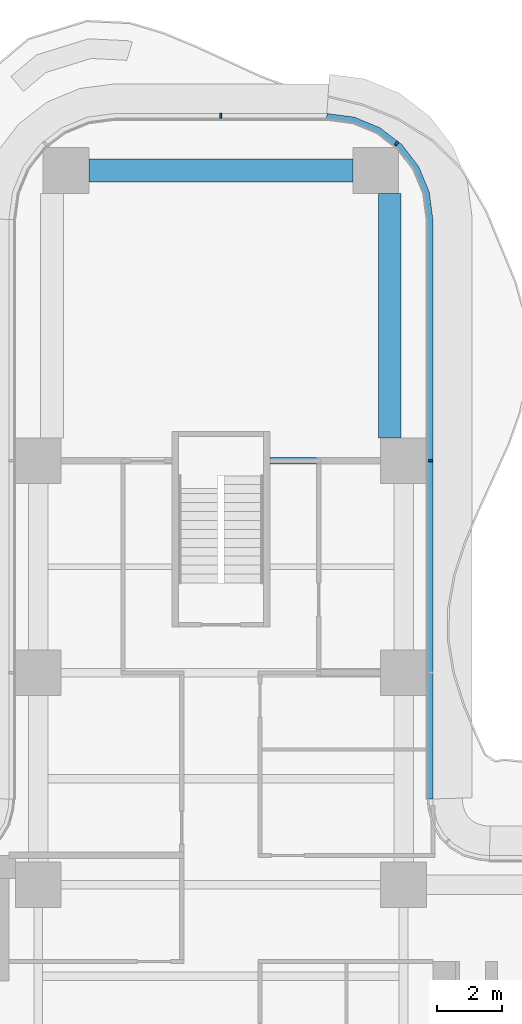
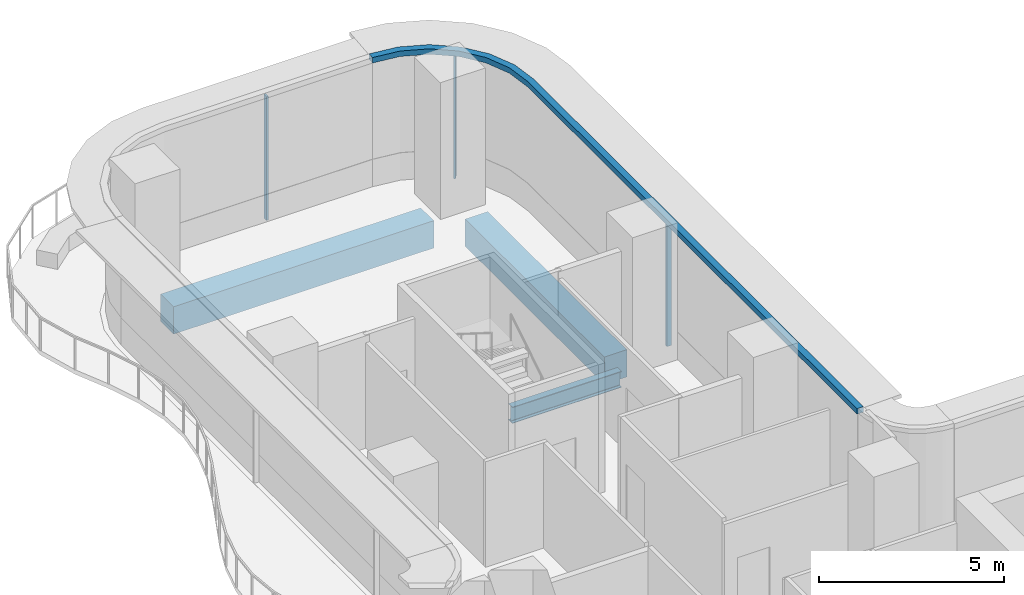
# One storey, part 12 of 22: 4 members, 3 beams, 2 elements without a shape of their own.
"""IFC4 building model written with IfcOpenShell, lengths in metres."""

from ifc_helpers import new_model, si_unit, direction, frame, origin, origin_2d, place, context, subcontext, project, spatial, polyline, rectangle, i_section, outline, extrude, source, transform, mapped, material, layer, layer_set, material_profile, profile_set, type_object, element, aggregate, save


model = new_model("IFC4")

# Units and contexts
model_context = context("Model", 3, precision=1e-05, world=origin(), true_north=direction((0.0, 1.0)))
body_context = subcontext(model_context, "Body", "Model", "MODEL_VIEW")
ifc_project = project(units=[si_unit("LENGTHUNIT", "METRE"), si_unit("AREAUNIT", "SQUARE_METRE"), si_unit("VOLUMEUNIT", "CUBIC_METRE"), si_unit("PLANEANGLEUNIT", "RADIAN"), si_unit("MASSUNIT", "GRAM", prefix="KILO")], contexts=[model_context])

# Site, building, storey
site_placement = place(None, origin())
site = spatial("IfcSite", under=ifc_project, at=site_placement, CompositionType="ELEMENT")
building_placement = place(site_placement, origin())
building = spatial("IfcBuilding", under=site, at=building_placement, Name="Trellis Farm Tower", CompositionType="ELEMENT")
storey_placement = place(building_placement, frame((0.0, 0.0, 52.0)))
storey = spatial("IfcBuildingStorey", under=building, at=storey_placement, Name="L10", CompositionType="ELEMENT", Elevation=52.0)

# Beams
ifc_material_1 = material(Name="Steel S355", Category="steel")
ifc_material_profile_1 = material_profile(ifc_material_1, i_section(OverallWidth=0.209228515625, OverallDepth=0.533203125, WebThickness=0.010009765625, FlangeThickness=0.015625, FilletRadius=0.0126953125, at=origin_2d()), Name="UB 533x210x92")
ifc_profile_set_1 = profile_set([ifc_material_profile_1], Name="Steel S355")
beam_type_1 = type_object("IfcBeamType", Name="UB 533x210x92", PredefinedType="BEAM", material=ifc_profile_set_1)
shared_shape_1 = source(origin(), body_context, "Body", "SweptSolid", [
    extrude(i_section(OverallWidth=0.209228515625, OverallDepth=0.533203125, WebThickness=0.010009765625, FlangeThickness=0.015625, FilletRadius=0.0126953125, at=origin_2d()), origin(), (0.0, 0.0, 1.0), 3.39990234375),
])
beam_1_placement = place(storey_placement, frame((1.5, 18.60009765625, -0.5166015625), z_axis=(1.0, 0.0, 0.0), x_axis=(0.0, 1.0, 0.0)))
element("IfcBeam", 1, at=beam_1_placement, inside=storey, type_object=beam_type_1, Name="Girder", PredefinedType="BEAM", context=body_context, shape_type="MappedRepresentation", body=[
    mapped(shared_shape_1, transform((0.0, 0.0, 0.0))),
])
ifc_material_2 = material(Name="Concrete C60/75", Category="concrete")
ifc_material_profile_2 = material_profile(ifc_material_2, rectangle(XDim=0.699951171875, YDim=0.89990234375, at=origin_2d()), Name="RC spandrel beam 700x900 C60/75")
ifc_profile_set_2 = profile_set([ifc_material_profile_2], Name="Concrete C60/75")
beam_type_2 = type_object("IfcBeamType", Name="RC spandrel beam 700x900 C60/75", PredefinedType="SPANDREL", material=ifc_profile_set_2)
shared_shape_2 = source(origin(), body_context, "Body", "SweptSolid", [
    extrude(rectangle(XDim=0.699951171875, YDim=0.89990234375, at=origin_2d()), origin(), (0.0, 0.0, 1.0), 8.10009765625),
])
beam_2_placement = place(storey_placement, frame((-4.050048828125, 27.5, -0.699951171875), z_axis=(1.0, 0.0, 0.0), x_axis=(0.0, 1.0, 0.0)))
element("IfcBeam", 2, at=beam_2_placement, inside=storey, type_object=beam_type_2, Name="Girder", PredefinedType="SPANDREL", context=body_context, shape_type="MappedRepresentation", body=[
    mapped(shared_shape_2, transform((0.0, 0.0, 0.0))),
])
shared_shape_3 = source(origin(), body_context, "Body", "SweptSolid", [
    extrude(rectangle(XDim=0.699951171875, YDim=0.89990234375, at=origin_2d()), origin(), (0.0, 0.0, 1.0), 7.5),
])
beam_3_placement = place(storey_placement, frame((5.175048828125, 19.300048828125, -0.699951171875), z_axis=(0.0, 1.0, 0.0), x_axis=(-1.0, 0.0, 0.0)))
element("IfcBeam", 3, at=beam_3_placement, inside=storey, type_object=beam_type_2, Name="Girder", PredefinedType="SPANDREL", context=body_context, shape_type="MappedRepresentation", body=[
    mapped(shared_shape_3, transform((0.0, 0.0, 0.0))),
])

# Curtain wall, members
ifc_material_3 = material(Name="Aluminium and glass curtain wall", Category="aluminium")
ifc_layer_1 = layer(ifc_material_3, 0.18994140625)
ifc_layer_set_1 = layer_set([ifc_layer_1], Name="RIBBON CURTAIN WALL CW1")
curtain_wall_type = type_object("IfcCurtainWallType", Name="RIBBON CURTAIN WALL CW1", PredefinedType="NOTDEFINED", material=ifc_layer_set_1)
placement = place(storey_placement, origin())
curtain_wall_1 = element("IfcCurtainWall", 4, at=placement, inside=storey, type_object=curtain_wall_type, Name="CW1 009", PredefinedType="NOTDEFINED")
ifc_material_4 = material(Name="Aluminium extrusion 6063-T6", Category="aluminium")
ifc_material_profile_3 = material_profile(ifc_material_4, rectangle(XDim=0.06005859375, YDim=0.14990234375, at=origin_2d()), Name="MULLION 60x150")
ifc_profile_set_3 = profile_set([ifc_material_profile_3], Name="Aluminium extrusion 6063-T6")
member_type_1 = type_object("IfcMemberType", Name="CW1 MULLION 60x150", PredefinedType="MULLION", material=ifc_profile_set_3)
shared_shape_4 = source(origin(), body_context, "Body", "SweptSolid", [
    extrude(rectangle(XDim=0.06005859375, YDim=0.14990234375, at=origin_2d()), origin(), (0.0, 0.0, 1.0), 4.070068359375),
])
member_1_placement = place(storey_placement, frame((6.425048828125, 18.60009765625, 0.0), z_axis=(0.0, 0.0, 1.0), x_axis=(0.0, 1.0, 0.0)))
member_1 = element("IfcMember", 5, at=member_1_placement, type_object=member_type_1, Name="MU1 009-02", PredefinedType="MULLION", context=body_context, shape_type="MappedRepresentation", body=[
    mapped(shared_shape_4, transform((0.0, 0.0, 0.0))),
])
member_2_placement = place(storey_placement, frame((5.385498046875, 28.328369140625, 0.0), z_axis=(0.0, 0.0, 1.0), x_axis=(-0.793353340291, 0.608761429009, 0.0)))
member_2 = element("IfcMember", 6, at=member_2_placement, type_object=member_type_1, Name="MU1 009-03", PredefinedType="MULLION", context=body_context, shape_type="MappedRepresentation", body=[
    mapped(shared_shape_4, transform((0.0, 0.0, 0.0))),
])

# Curtain wall, member
curtain_wall_2 = element("IfcCurtainWall", 7, at=placement, inside=storey, type_object=curtain_wall_type, Name="CW1 010", PredefinedType="NOTDEFINED")
member_3_placement = place(storey_placement, frame((0.0, 29.175048828125, 0.0), z_axis=(0.0, 0.0, 1.0), x_axis=(-1.0, 0.0, 0.0)))
member_3 = element("IfcMember", 8, at=member_3_placement, type_object=member_type_1, Name="MU1 010-01", PredefinedType="MULLION", context=body_context, shape_type="MappedRepresentation", body=[
    mapped(shared_shape_4, transform((0.0, 0.0, 0.0))),
])
aggregate(curtain_wall_2, [member_3])

# Member
ifc_layer_2 = layer(ifc_material_4, 0.199951171875)
ifc_layer_set_2 = layer_set([ifc_layer_2], Name="Aluminium extrusion 6063-T6")
member_type_2 = type_object("IfcMemberType", Name="CW1 TRANSOM 200x180", PredefinedType="USERDEFINED", material=ifc_layer_set_2)
shared_shape_5 = source(origin(), body_context, "Body", "SweptSolid", [
    extrude(outline(polyline([(6.5, 8.2314453125), (6.5, 26.0), (6.38916015625, 26.841064453125), (6.064697265625, 27.625), (5.548095703125, 28.298095703125), (4.875, 28.814697265625), (4.091064453125, 29.13916015625), (3.25, 29.25), (3.23681640625, 29.050048828125), (4.0390625, 28.9443359375), (4.774169921875, 28.639892578125), (5.405517578125, 28.155517578125), (5.889892578125, 27.524169921875), (6.1943359375, 26.7890625), (6.300048828125, 25.98681640625), (6.300048828125, 8.224853515625), (6.5, 8.2314453125)])), origin(), (0.0, 0.0, 1.0), 0.179931640625),
])
member_4_placement = place(storey_placement, frame((0.0, 0.0, 4.070068359375)))
member_4 = element("IfcMember", 9, at=member_4_placement, type_object=member_type_2, Name="TR1 009", ObjectType="TRANSOM", PredefinedType="USERDEFINED", context=body_context, shape_type="MappedRepresentation", body=[
    mapped(shared_shape_5, transform((0.0, 0.0, 0.0))),
])

aggregate(curtain_wall_1, [member_1, member_2, member_4])

save(model, "model.ifc")
